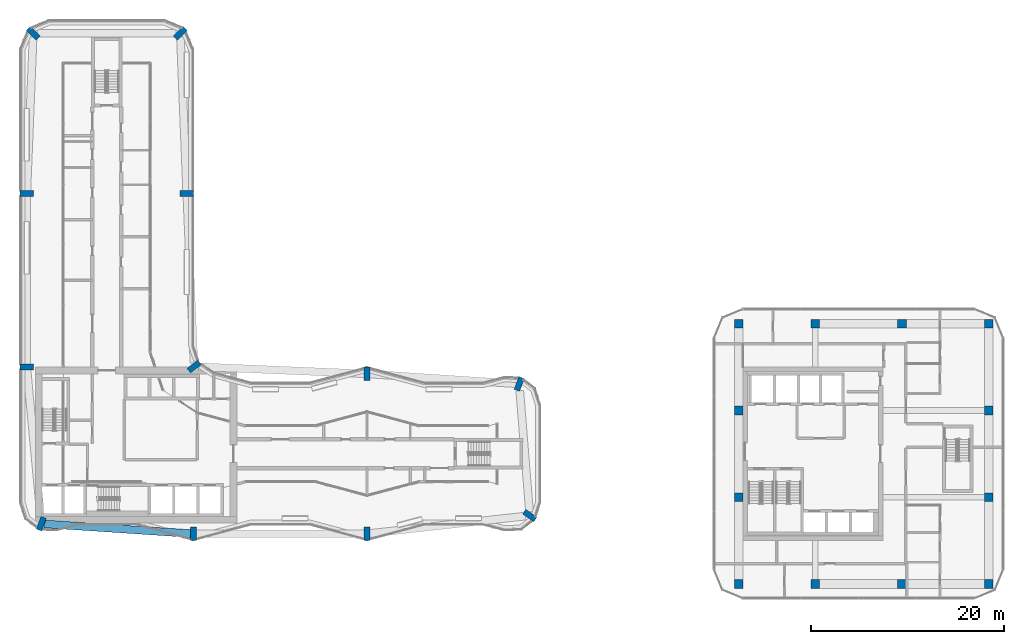
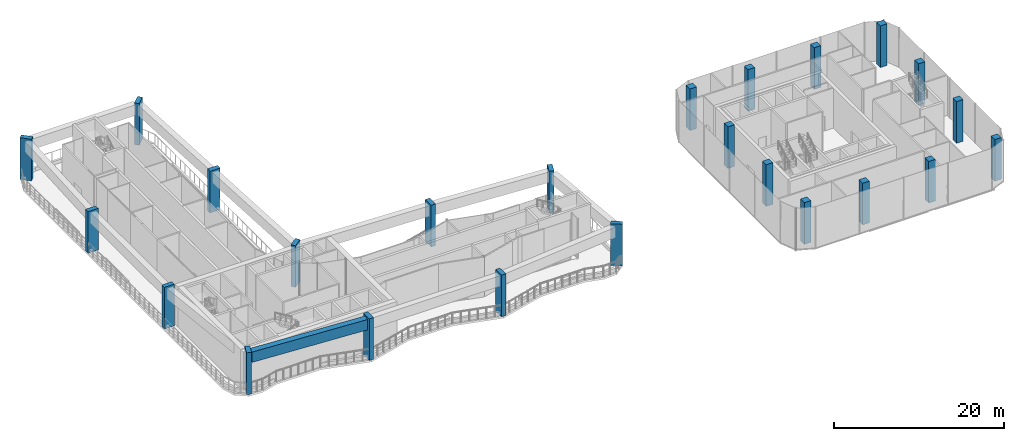
# One storey, part 1 of 24: 24 columns, 1 beam.
"""IFC4 building model written with IfcOpenShell, lengths in metres."""

from ifc_helpers import new_model, si_unit, direction, frame, origin, origin_2d, place, context, subcontext, project, spatial, rectangle, extrude, material, material_profile, profile_set, type_object, element, save


model = new_model("IFC4")

# Units and contexts
model_context = context("Model", 3, precision=1e-05, world=origin(), true_north=direction((0.0, 1.0)))
body_context = subcontext(model_context, "Body", "Model", "MODEL_VIEW")
ifc_project = project(units=[si_unit("LENGTHUNIT", "METRE"), si_unit("AREAUNIT", "SQUARE_METRE"), si_unit("VOLUMEUNIT", "CUBIC_METRE"), si_unit("PLANEANGLEUNIT", "RADIAN"), si_unit("MASSUNIT", "GRAM", prefix="KILO")], contexts=[model_context])

# Site, building, storey
site_placement = place(None, origin())
site = spatial("IfcSite", under=ifc_project, at=site_placement, CompositionType="ELEMENT")
building_placement = place(site_placement, origin())
building = spatial("IfcBuilding", under=site, at=building_placement, Name="Plateau Cross Towers", CompositionType="ELEMENT")
storey_placement = place(building_placement, frame((0.0, 0.0, 72.300048828125)))
storey = spatial("IfcBuildingStorey", under=building, at=storey_placement, Name="L18", CompositionType="ELEMENT", Elevation=72.300048828125)

# Columns
ifc_material = material(Name="Concrete C60/75", Category="concrete")
ifc_material_profile_1 = material_profile(ifc_material, rectangle(XDim=0.60009765625, YDim=1.39990234375, at=origin_2d()), Name="RC 600x1400")
ifc_profile_set_1 = profile_set([ifc_material_profile_1], Name="Concrete C60/75")
column_type_1 = type_object("IfcColumnType", Name="Fin pier column RC 600x1400", PredefinedType="COLUMN", material=ifc_profile_set_1)
for number, where, z_axis, x_axis, name in (
    (1, (18.0, 0.699951171875, 0.0), (0.0, 0.0, 1.0), (1.0, 0.0, 0.0), "PR1 L18"),
    (2, (36.0, 0.699951171875, 0.0), (0.0, 0.0, 1.0), (1.0, 0.0, 0.0), "PR2 L18"),
    (3, (52.884033203125, 2.590087890625, 0.0), (0.0, 0.0, 1.0), (0.573542637991, 0.819175709117, 0.0), "PR3 L18"),
    (4, (51.786865234375, 16.251953125, 0.0), (0.0, 0.0, 1.0), (-0.939664280925, 0.342097996418, 0.0), "PR4 L18"),
    (5, (36.0, 17.300048828125, 0.0), (0.0, 0.0, 1.0), (1.0, 0.0, 0.0), "PR5 L18"),
    (6, (18.064697265625, 18.049560546875, 0.0), (0.0, 0.0, 1.0), (-0.608810846443, 0.793315418515, 0.0), "PR6 L18"),
    (7, (17.300048828125, 36.0, 0.0), (0.0, 0.0, 1.0), (0.0, 1.0, 0.0), "PR7 L18"),
    (8, (16.62646484375, 52.62646484375, 0.0), (0.0, 0.0, 1.0), (-0.707106781187, 0.707106781187, 0.0), "PR8 L18"),
    (9, (1.37353515625, 52.62646484375, 0.0), (0.0, 0.0, 1.0), (0.707106781187, 0.707106781187, 0.0), "PR9 L18"),
    (10, (0.699951171875, 36.0, 0.0), (0.0, 0.0, 1.0), (0.0, 1.0, 0.0), "PR10 L18"),
    (11, (0.699951171875, 18.0, 0.0), (0.0, 0.0, 1.0), (0.0, 1.0, 0.0), "PR11 L18"),
    (12, (2.213134765625, 1.748046875, 0.0), (0.0, 0.0, 1.0), (-0.939664280925, 0.342097996418, 0.0), "PR12 L18"),
):
    element("IfcColumn", number, at=place(storey_placement, frame(where, z_axis=z_axis, x_axis=x_axis)), inside=storey, type_object=column_type_1, Name=name, PredefinedType="COLUMN", context=body_context, shape_type="SweptSolid", body=[
        extrude(rectangle(XDim=0.60009765625, YDim=1.39990234375, at=origin_2d()), origin(), (0.0, 0.0, 1.0), 6.0),
    ])
ifc_material_profile_2 = material_profile(ifc_material, rectangle(XDim=0.89990234375, YDim=0.89990234375, at=origin_2d()), Name="RC 900x900")
ifc_profile_set_2 = profile_set([ifc_material_profile_2], Name="Concrete C60/75")
column_type_2 = type_object("IfcColumnType", Name="Office column RC 900x900", PredefinedType="COLUMN", material=ifc_profile_set_2)
for number, where, z_axis, x_axis, name in (
    (13, (74.550048828125, -4.5, 0.0), (0.0, 0.0, 1.0), (1.0, 0.0, 0.0), "B-C746_-45 L18"),
    (14, (82.5, -4.5, 0.0), (0.0, 0.0, 1.0), (1.0, 0.0, 0.0), "B-C825_-45 L18"),
    (15, (91.5, -4.5, 0.0), (0.0, 0.0, 1.0), (1.0, 0.0, 0.0), "B-C915_-45 L18"),
    (16, (100.5, -4.5, 0.0), (0.0, 0.0, 1.0), (1.0, 0.0, 0.0), "B-C1005_-45 L18"),
    (17, (100.5, 4.5, 0.0), (0.0, 0.0, 1.0), (1.0, 0.0, 0.0), "B-C1005_45 L18"),
    (18, (100.5, 13.5, 0.0), (0.0, 0.0, 1.0), (1.0, 0.0, 0.0), "B-C1005_135 L18"),
    (19, (100.5, 22.5, 0.0), (0.0, 0.0, 1.0), (1.0, 0.0, 0.0), "B-C1005_225 L18"),
    (20, (91.5, 22.5, 0.0), (0.0, 0.0, 1.0), (1.0, 0.0, 0.0), "B-C915_225 L18"),
    (21, (82.5, 22.5, 0.0), (0.0, 0.0, 1.0), (1.0, 0.0, 0.0), "B-C825_225 L18"),
    (22, (74.550048828125, 22.5, 0.0), (0.0, 0.0, 1.0), (1.0, 0.0, 0.0), "B-C746_225 L18"),
    (23, (74.550048828125, 13.5, 0.0), (0.0, 0.0, 1.0), (1.0, 0.0, 0.0), "B-C746_135 L18"),
    (24, (74.550048828125, 4.5, 0.0), (0.0, 0.0, 1.0), (1.0, 0.0, 0.0), "B-C746_45 L18"),
):
    element("IfcColumn", number, at=place(storey_placement, frame(where, z_axis=z_axis, x_axis=x_axis)), inside=storey, type_object=column_type_2, Name=name, PredefinedType="COLUMN", context=body_context, shape_type="SweptSolid", body=[
        extrude(rectangle(XDim=0.89990234375, YDim=0.89990234375, at=origin_2d()), origin(), (0.0, 0.0, 1.0), 6.0),
    ])

# Beam
ifc_material_profile_3 = material_profile(ifc_material, rectangle(XDim=0.800048828125, YDim=1.5, at=origin_2d()), Name="RC 800x1500")
ifc_profile_set_3 = profile_set([ifc_material_profile_3], Name="Concrete C60/75")
beam_type = type_object("IfcBeamType", Name="Belt beam RC 800x1500", PredefinedType="BEAM", material=ifc_profile_set_3)
beam_placement = place(storey_placement, frame((2.52490234375, 1.727294921875, 5.0), z_axis=(0.99780408253, -0.06623452941, 0.0), x_axis=(0.06623452941, 0.99780408253, 0.0)))
element("IfcBeam", 25, at=beam_placement, inside=storey, type_object=beam_type, Name="BELT-L18-12", PredefinedType="BEAM", context=body_context, shape_type="SweptSolid", body=[
    extrude(rectangle(XDim=0.800048828125, YDim=1.5, at=origin_2d()), origin(), (0.0, 0.0, 1.0), 15.20849609375),
])

save(model, "model.ifc")
